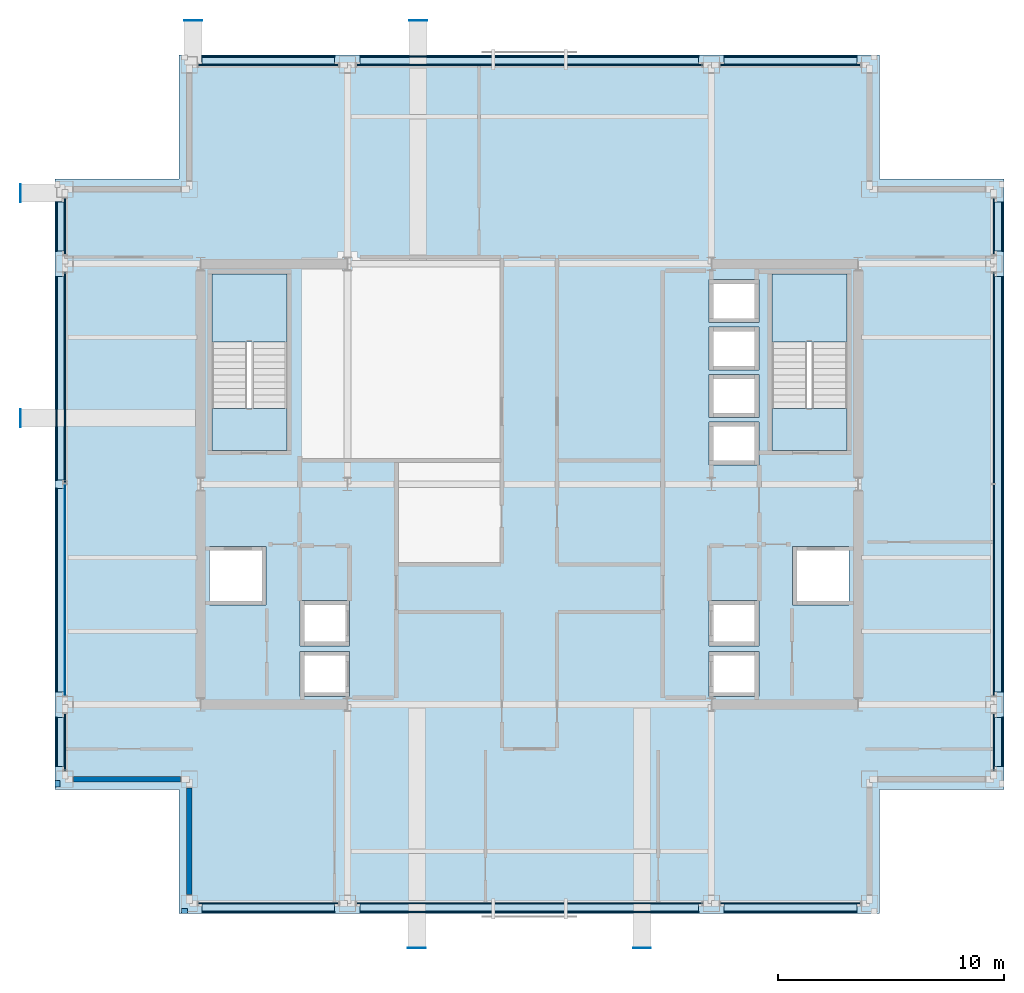
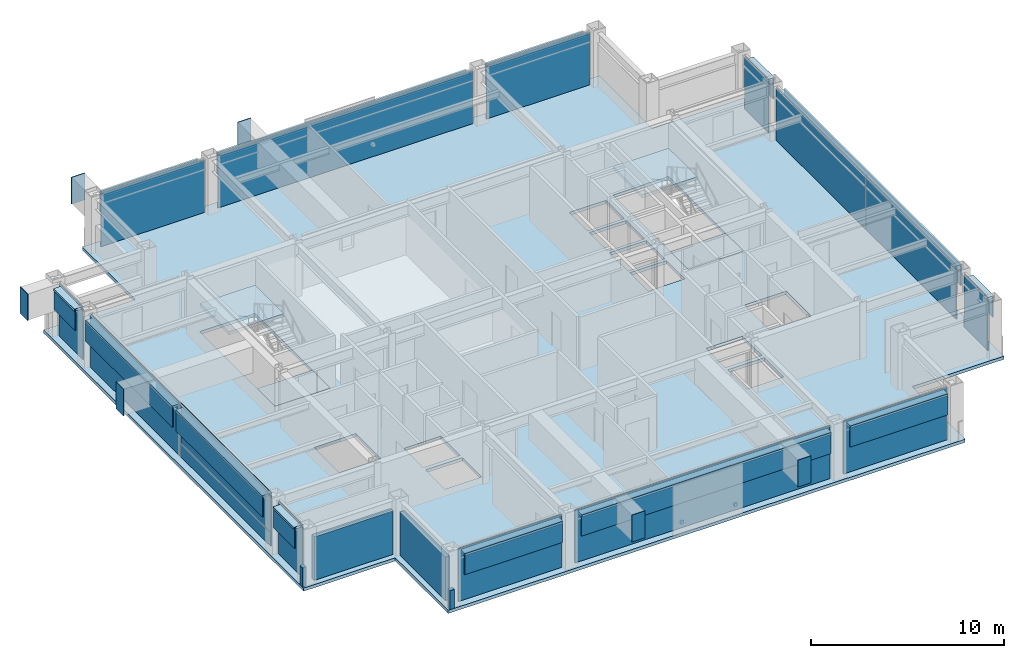
# One storey, part 23 of 28: 47 plates, 5 slabs, 4 walls, 15 elements without a shape of their own.
"""IFC4 building model written with IfcOpenShell, lengths in metres."""

from ifc_helpers import new_model, si_unit, direction, frame, frame_2d, origin, origin_2d, place, context, subcontext, project, spatial, polyline, rectangle, outline, extrude, material, layer, layer_set, type_object, element, aggregate, save


model = new_model("IFC4")

# Units and contexts
model_context = context("Model", 3, precision=1e-05, world=origin(), true_north=direction((0.0, 1.0)))
body_context = subcontext(model_context, "Body", "Model", "MODEL_VIEW")
ifc_project = project(units=[si_unit("LENGTHUNIT", "METRE"), si_unit("AREAUNIT", "SQUARE_METRE"), si_unit("VOLUMEUNIT", "CUBIC_METRE"), si_unit("PLANEANGLEUNIT", "RADIAN"), si_unit("MASSUNIT", "GRAM", prefix="KILO")], contexts=[model_context])

# Site, building, storey
site_placement = place(None, origin())
site = spatial("IfcSite", under=ifc_project, at=site_placement, CompositionType="ELEMENT")
building_placement = place(site_placement, origin())
building = spatial("IfcBuilding", under=site, at=building_placement, Name="Brelmoor Portico Tower", CompositionType="ELEMENT")
storey_placement = place(building_placement, frame((0.0, 0.0, 155.10009765625)))
storey = spatial("IfcBuildingStorey", under=building, at=storey_placement, Name="L40", CompositionType="ELEMENT", Elevation=155.10009765625)

# Plates
ifc_material_1 = material(Name="Steel Q355B", Category="steel")
ifc_layer_1 = layer(ifc_material_1, 0.044921875)
ifc_layer_set_1 = layer_set([ifc_layer_1], Name="Steel Q355B")
plate_type_1 = type_object("IfcPlateType", Name="PT-CAP-650", PredefinedType="SHEET", material=ifc_layer_set_1)
for number, where, z_axis, x_axis, name in (
    (1, (-4.97998046875, -20.52001953125, 1.7197265625), (0.0, 0.0, 1.0), (1.0, 0.0, 0.0), "L40 Picture-Frame Cantilever End Cap Plate PFB-01"),
    (2, (4.97998046875, -20.52001953125, 1.7197265625), (0.0, 0.0, 1.0), (1.0, 0.0, 0.0), "L40 Picture-Frame Cantilever End Cap Plate PFB-02"),
    (3, (-14.8798828125, 20.52001953125, 1.7197265625), (0.0, 0.0, 1.0), (1.0, 0.0, 0.0), "L40 Picture-Frame Cantilever End Cap Plate PFB-03"),
    (4, (-4.919921875, 20.52001953125, 1.7197265625), (0.0, 0.0, 1.0), (1.0, 0.0, 0.0), "L40 Picture-Frame Cantilever End Cap Plate PFB-04"),
):
    element("IfcPlate", number, at=place(storey_placement, frame(where, z_axis=z_axis, x_axis=x_axis)), inside=storey, type_object=plate_type_1, Name=name, PredefinedType="SHEET", context=body_context, shape_type="SweptSolid", body=[
        extrude(rectangle(XDim=0.7900390625, YDim=0.0400390625, at=origin_2d()), origin(), (0.0, 0.0, 1.0), 1.699951171875),
    ])
for number, where, z_axis, x_axis, name in (
    (5, (-22.52001953125, 2.919921875, 1.7197265625), (0.0, 0.0, 1.0), (1.0, 0.0, 0.0), "L40 Picture-Frame Cantilever End Cap Plate PFB-05"),
    (6, (-22.52001953125, 12.8798828125, 1.7197265625), (0.0, 0.0, 1.0), (1.0, 0.0, 0.0), "L40 Picture-Frame Cantilever End Cap Plate PFB-06"),
):
    element("IfcPlate", number, at=place(storey_placement, frame(where, z_axis=z_axis, x_axis=x_axis)), inside=storey, type_object=plate_type_1, Name=name, PredefinedType="SHEET", context=body_context, shape_type="SweptSolid", body=[
        extrude(rectangle(XDim=0.0400390625, YDim=0.7900390625, at=origin_2d()), origin(), (0.0, 0.0, 1.0), 1.699951171875),
    ])

# Curtain wall, plate
ifc_material_2 = material(Name="Anodised Aluminium Alloy 6063-T6", Category="aluminium")
ifc_layer_2 = layer(ifc_material_2, 0.179931640625)
ifc_layer_set_2 = layer_set([ifc_layer_2], Name="Anodised Aluminium Alloy 6063-T6")
curtain_wall_type_1 = type_object("IfcCurtainWallType", Name="CW-TOWER-Z3", PredefinedType="NOTDEFINED", material=ifc_layer_set_2)
curtain_wall_1_placement = place(storey_placement, origin())
curtain_wall_1 = element("IfcCurtainWall", 7, at=curtain_wall_1_placement, inside=storey, type_object=curtain_wall_type_1, Name="L40 Curtain Wall CW-L40-03-2a", PredefinedType="NOTDEFINED")
ifc_material_3 = material(Name="Double-Silver Low-E Insulated Glazing", Category="glass")
ifc_layer_3 = layer(ifc_material_3, 0.035888671875)
ifc_layer_set_3 = layer_set([ifc_layer_3], Name="Double-Silver Low-E Insulated Glazing")
plate_type_2 = type_object("IfcPlateType", Name="PT-CW-GLASS", PredefinedType="CURTAIN_PANEL", material=ifc_layer_set_3)
plate_1_placement = place(storey_placement, frame((-20.550048828125, -4.6826171875, 0.85009765625), z_axis=(0.0, 0.0, 1.0), x_axis=(0.0, 1.0, 0.0)))
plate_1 = element("IfcPlate", 8, at=plate_1_placement, type_object=plate_type_2, Name="CW-L40-03-2a Vision Glass Panel 00", PredefinedType="CURTAIN_PANEL", context=body_context, shape_type="SweptSolid", body=[
    extrude(rectangle(XDim=9.3349609375, YDim=0.035888671875, at=origin_2d()), origin(), (0.0, 0.0, 1.0), 2.550048828125),
])

ifc_layer_4 = layer(ifc_material_2, 0.179931640625)
ifc_layer_set_4 = layer_set([ifc_layer_4], Name="Anodised Aluminium Alloy 6063-T6")
curtain_wall_type_2 = type_object("IfcCurtainWallType", Name="CW-TOWER-Z3-XB", PredefinedType="NOTDEFINED", material=ifc_layer_set_4)
curtain_wall_2_placement = place(storey_placement, origin())
curtain_wall_2 = element("IfcCurtainWall", 9, at=curtain_wall_2_placement, inside=storey, type_object=curtain_wall_type_2, Name="L40 Curtain Wall CW-L40-01-1", PredefinedType="NOTDEFINED")
ifc_material_4 = material(Name="Pale Champagne Anodised Aluminium Panel", Category="aluminium")
ifc_layer_5 = layer(ifc_material_4, 0.050048828125)
ifc_layer_set_5 = layer_set([ifc_layer_5], Name="Pale Champagne Anodised Aluminium Panel")
plate_type_3 = type_object("IfcPlateType", Name="PT-CW-SPANDREL", PredefinedType="SHEET", material=ifc_layer_set_5)
plate_2_placement = place(storey_placement, frame((-11.550048828125, -18.550048828125, 0.0), z_axis=(0.0, 0.0, 1.0), x_axis=(1.0, 0.0, 0.0)))
plate_2 = element("IfcPlate", 10, at=plate_2_placement, type_object=plate_type_3, Name="CW-L40-01-1 Spandrel Panel 00", PredefinedType="SHEET", context=body_context, shape_type="SweptSolid", body=[
    extrude(rectangle(XDim=6.199951171875, YDim=0.050048828125, at=origin_2d()), origin(), (0.0, 0.0, 1.0), 3.33740234375),
])
aggregate(curtain_wall_2, [plate_2])

curtain_wall_3_placement = place(storey_placement, origin())
curtain_wall_3 = element("IfcCurtainWall", 11, at=curtain_wall_3_placement, inside=storey, type_object=curtain_wall_type_2, Name="L40 Curtain Wall CW-L40-01-2", PredefinedType="NOTDEFINED")
plate_3_placement = place(storey_placement, frame((0.0, -18.550048828125, 0.0), z_axis=(0.0, 0.0, 1.0), x_axis=(1.0, 0.0, 0.0)))
plate_3 = element("IfcPlate", 12, at=plate_3_placement, type_object=plate_type_3, Name="CW-L40-01-2 Spandrel Panel 00", PredefinedType="SHEET", context=body_context, shape_type="SweptSolid", body=[
    extrude(rectangle(XDim=15.300048828125, YDim=0.050048828125, at=origin_2d()), origin(), (0.0, 0.0, 1.0), 3.33740234375),
])
aggregate(curtain_wall_3, [plate_3])

curtain_wall_4_placement = place(storey_placement, origin())
curtain_wall_4 = element("IfcCurtainWall", 13, at=curtain_wall_4_placement, inside=storey, type_object=curtain_wall_type_2, Name="L40 Curtain Wall CW-L40-01-3", PredefinedType="NOTDEFINED")
plate_4_placement = place(storey_placement, frame((11.550048828125, -18.550048828125, 0.0), z_axis=(0.0, 0.0, 1.0), x_axis=(1.0, 0.0, 0.0)))
plate_4 = element("IfcPlate", 14, at=plate_4_placement, type_object=plate_type_3, Name="CW-L40-01-3 Spandrel Panel 00", PredefinedType="SHEET", context=body_context, shape_type="SweptSolid", body=[
    extrude(rectangle(XDim=6.199951171875, YDim=0.050048828125, at=origin_2d()), origin(), (0.0, 0.0, 1.0), 3.33740234375),
])
aggregate(curtain_wall_4, [plate_4])

curtain_wall_5_placement = place(storey_placement, origin())
curtain_wall_5 = element("IfcCurtainWall", 15, at=curtain_wall_5_placement, inside=storey, type_object=curtain_wall_type_2, Name="L40 Curtain Wall CW-L40-02-1", PredefinedType="NOTDEFINED")
plate_5_placement = place(storey_placement, frame((-11.550048828125, 18.550048828125, 0.0), z_axis=(0.0, 0.0, 1.0), x_axis=(1.0, 0.0, 0.0)))
plate_5 = element("IfcPlate", 16, at=plate_5_placement, type_object=plate_type_3, Name="CW-L40-02-1 Spandrel Panel 00", PredefinedType="SHEET", context=body_context, shape_type="SweptSolid", body=[
    extrude(rectangle(XDim=6.199951171875, YDim=0.050048828125, at=origin_2d()), origin(), (0.0, 0.0, 1.0), 3.33740234375),
])
aggregate(curtain_wall_5, [plate_5])

curtain_wall_6_placement = place(storey_placement, origin())
curtain_wall_6 = element("IfcCurtainWall", 17, at=curtain_wall_6_placement, inside=storey, type_object=curtain_wall_type_2, Name="L40 Curtain Wall CW-L40-02-2", PredefinedType="NOTDEFINED")
plate_6_placement = place(storey_placement, frame((0.0, 18.550048828125, 0.0), z_axis=(0.0, 0.0, 1.0), x_axis=(1.0, 0.0, 0.0)))
plate_6 = element("IfcPlate", 18, at=plate_6_placement, type_object=plate_type_3, Name="CW-L40-02-2 Spandrel Panel 00", PredefinedType="SHEET", context=body_context, shape_type="SweptSolid", body=[
    extrude(rectangle(XDim=15.300048828125, YDim=0.050048828125, at=origin_2d()), origin(), (0.0, 0.0, 1.0), 3.33740234375),
])
aggregate(curtain_wall_6, [plate_6])

curtain_wall_7_placement = place(storey_placement, origin())
curtain_wall_7 = element("IfcCurtainWall", 19, at=curtain_wall_7_placement, inside=storey, type_object=curtain_wall_type_2, Name="L40 Curtain Wall CW-L40-02-3", PredefinedType="NOTDEFINED")
plate_7_placement = place(storey_placement, frame((11.550048828125, 18.550048828125, 0.0), z_axis=(0.0, 0.0, 1.0), x_axis=(1.0, 0.0, 0.0)))
plate_7 = element("IfcPlate", 20, at=plate_7_placement, type_object=plate_type_3, Name="CW-L40-02-3 Spandrel Panel 00", PredefinedType="SHEET", context=body_context, shape_type="SweptSolid", body=[
    extrude(rectangle(XDim=6.199951171875, YDim=0.050048828125, at=origin_2d()), origin(), (0.0, 0.0, 1.0), 3.33740234375),
])
aggregate(curtain_wall_7, [plate_7])

curtain_wall_8_placement = place(storey_placement, origin())
curtain_wall_8 = element("IfcCurtainWall", 21, at=curtain_wall_8_placement, inside=storey, type_object=curtain_wall_type_2, Name="L40 Curtain Wall CW-L40-03-1", PredefinedType="NOTDEFINED")
plate_8_placement = place(storey_placement, frame((-20.550048828125, -11.39990234375, 0.0), z_axis=(0.0, 0.0, 1.0), x_axis=(0.0, 1.0, 0.0)))
plate_8 = element("IfcPlate", 22, at=plate_8_placement, type_object=plate_type_3, Name="CW-L40-03-1 Spandrel Panel 00", PredefinedType="SHEET", context=body_context, shape_type="SweptSolid", body=[
    extrude(rectangle(XDim=2.5, YDim=0.050048828125, at=origin_2d()), origin(), (0.0, 0.0, 1.0), 3.33740234375),
])
aggregate(curtain_wall_8, [plate_8])

# Plate
plate_9_placement = place(storey_placement, frame((-20.550048828125, -4.6826171875, -0.000244140625), z_axis=(0.0, 0.0, 1.0), x_axis=(0.0, 1.0, 0.0)))
plate_9 = element("IfcPlate", 23, at=plate_9_placement, type_object=plate_type_3, Name="CW-L40-03-2a Spandrel Panel 00", PredefinedType="SHEET", context=body_context, shape_type="SweptSolid", body=[
    extrude(rectangle(XDim=9.3349609375, YDim=0.050048828125, at=origin_2d()), origin(), (0.0, 0.0, 1.0), 0.85009765625),
])

aggregate(curtain_wall_1, [plate_9, plate_1])

# Curtain wall, plate
curtain_wall_9_placement = place(storey_placement, origin())
curtain_wall_9 = element("IfcCurtainWall", 24, at=curtain_wall_9_placement, inside=storey, type_object=curtain_wall_type_2, Name="L40 Curtain Wall CW-L40-03-2b", PredefinedType="NOTDEFINED")
plate_10_placement = place(storey_placement, frame((-20.550048828125, 4.6826171875, 0.0), z_axis=(0.0, 0.0, 1.0), x_axis=(0.0, 1.0, 0.0)))
plate_10 = element("IfcPlate", 25, at=plate_10_placement, type_object=plate_type_3, Name="CW-L40-03-2b Spandrel Panel 00", PredefinedType="SHEET", context=body_context, shape_type="SweptSolid", body=[
    extrude(rectangle(XDim=9.3349609375, YDim=0.050048828125, at=origin_2d()), origin(), (0.0, 0.0, 1.0), 3.33740234375),
])
aggregate(curtain_wall_9, [plate_10])

curtain_wall_10_placement = place(storey_placement, origin())
curtain_wall_10 = element("IfcCurtainWall", 26, at=curtain_wall_10_placement, inside=storey, type_object=curtain_wall_type_2, Name="L40 Curtain Wall CW-L40-03-3", PredefinedType="NOTDEFINED")
plate_11_placement = place(storey_placement, frame((-20.550048828125, 11.39990234375, 0.0), z_axis=(0.0, 0.0, 1.0), x_axis=(0.0, 1.0, 0.0)))
plate_11 = element("IfcPlate", 27, at=plate_11_placement, type_object=plate_type_3, Name="CW-L40-03-3 Spandrel Panel 00", PredefinedType="SHEET", context=body_context, shape_type="SweptSolid", body=[
    extrude(rectangle(XDim=2.5, YDim=0.050048828125, at=origin_2d()), origin(), (0.0, 0.0, 1.0), 3.33740234375),
])
aggregate(curtain_wall_10, [plate_11])

curtain_wall_11_placement = place(storey_placement, origin())
curtain_wall_11 = element("IfcCurtainWall", 28, at=curtain_wall_11_placement, inside=storey, type_object=curtain_wall_type_2, Name="L40 Curtain Wall CW-L40-04-1", PredefinedType="NOTDEFINED")
plate_12_placement = place(storey_placement, frame((20.550048828125, -11.39990234375, 0.0), z_axis=(0.0, 0.0, 1.0), x_axis=(0.0, 1.0, 0.0)))
plate_12 = element("IfcPlate", 29, at=plate_12_placement, type_object=plate_type_3, Name="CW-L40-04-1 Spandrel Panel 00", PredefinedType="SHEET", context=body_context, shape_type="SweptSolid", body=[
    extrude(rectangle(XDim=2.5, YDim=0.050048828125, at=origin_2d()), origin(), (0.0, 0.0, 1.0), 3.33740234375),
])
aggregate(curtain_wall_11, [plate_12])

# Curtain wall, plates
curtain_wall_12_placement = place(storey_placement, origin())
curtain_wall_12 = element("IfcCurtainWall", 30, at=curtain_wall_12_placement, inside=storey, type_object=curtain_wall_type_2, Name="L40 Curtain Wall CW-L40-04-2", PredefinedType="NOTDEFINED")
plate_13_placement = place(storey_placement, frame((20.550048828125, -4.6826171875, 0.0), z_axis=(0.0, 0.0, 1.0), x_axis=(0.0, 1.0, 0.0)))
plate_13 = element("IfcPlate", 31, at=plate_13_placement, type_object=plate_type_3, Name="CW-L40-04-2 Spandrel Panel 00", PredefinedType="SHEET", context=body_context, shape_type="SweptSolid", body=[
    extrude(rectangle(XDim=9.3349609375, YDim=0.050048828125, at=origin_2d()), origin(), (0.0, 0.0, 1.0), 3.33740234375),
])
plate_14_placement = place(storey_placement, frame((20.550048828125, 4.6826171875, 0.0), z_axis=(0.0, 0.0, 1.0), x_axis=(0.0, 1.0, 0.0)))
plate_14 = element("IfcPlate", 32, at=plate_14_placement, type_object=plate_type_3, Name="CW-L40-04-2 Spandrel Panel 01", PredefinedType="SHEET", context=body_context, shape_type="SweptSolid", body=[
    extrude(rectangle(XDim=9.3349609375, YDim=0.050048828125, at=origin_2d()), origin(), (0.0, 0.0, 1.0), 3.33740234375),
])
aggregate(curtain_wall_12, [plate_13, plate_14])

# Curtain wall, plate
curtain_wall_13_placement = place(storey_placement, origin())
curtain_wall_13 = element("IfcCurtainWall", 33, at=curtain_wall_13_placement, inside=storey, type_object=curtain_wall_type_2, Name="L40 Curtain Wall CW-L40-04-3", PredefinedType="NOTDEFINED")
plate_15_placement = place(storey_placement, frame((20.550048828125, 11.39990234375, 0.0), z_axis=(0.0, 0.0, 1.0), x_axis=(0.0, 1.0, 0.0)))
plate_15 = element("IfcPlate", 34, at=plate_15_placement, type_object=plate_type_3, Name="CW-L40-04-3 Spandrel Panel 00", PredefinedType="SHEET", context=body_context, shape_type="SweptSolid", body=[
    extrude(rectangle(XDim=2.5, YDim=0.050048828125, at=origin_2d()), origin(), (0.0, 0.0, 1.0), 3.33740234375),
])
aggregate(curtain_wall_13, [plate_15])

# Plates
ifc_material_5 = material(Name="Powder-Coated Aluminium Shuttered Jalousie Louvre", Category="aluminium")
ifc_layer_6 = layer(ifc_material_5, 0.06005859375)
ifc_layer_set_6 = layer_set([ifc_layer_6], Name="Powder-Coated Aluminium Shuttered Jalousie Louvre")
plate_type_4 = type_object("IfcPlateType", Name="PT-JALOUSIE-SHUTTER", PredefinedType="SHEET", material=ifc_layer_set_6)
plate_16_placement = place(storey_placement, frame((-11.550048828125, -18.929931640625, 1.8740234375), z_axis=(0.0, 0.0, 1.0), x_axis=(1.0, 0.0, 0.0)))
element("IfcPlate", 35, at=plate_16_placement, inside=storey, type_object=plate_type_4, Name="CW-L40-01-1 Perforated Jalousie Solar Screen", PredefinedType="SHEET", context=body_context, shape_type="SweptSolid", body=[
    extrude(rectangle(XDim=5.8701171875, YDim=0.06494140625, at=origin_2d()), origin(), (0.0, 0.0, 1.0), 1.325927734375),
])
plate_17_placement = place(storey_placement, frame((0.0, -18.929931640625, 1.8740234375), z_axis=(0.0, 0.0, 1.0), x_axis=(1.0, 0.0, 0.0)))
element("IfcPlate", 36, at=plate_17_placement, inside=storey, type_object=plate_type_4, Name="CW-L40-01-2 Perforated Jalousie Solar Screen", PredefinedType="SHEET", context=body_context, shape_type="SweptSolid", body=[
    extrude(rectangle(XDim=14.969970703125, YDim=0.06494140625, at=origin_2d()), origin(), (0.0, 0.0, 1.0), 1.325927734375),
])
for number, where, z_axis, x_axis, name in (
    (37, (11.550048828125, -18.929931640625, 1.8740234375), (0.0, 0.0, 1.0), (1.0, 0.0, 0.0), "CW-L40-01-3 Perforated Jalousie Solar Screen"),
    (38, (-11.550048828125, 18.929931640625, 1.8740234375), (0.0, 0.0, 1.0), (1.0, 0.0, 0.0), "CW-L40-02-1 Perforated Jalousie Solar Screen"),
):
    element("IfcPlate", number, at=place(storey_placement, frame(where, z_axis=z_axis, x_axis=x_axis)), inside=storey, type_object=plate_type_4, Name=name, PredefinedType="SHEET", context=body_context, shape_type="SweptSolid", body=[
        extrude(rectangle(XDim=5.8701171875, YDim=0.06494140625, at=origin_2d()), origin(), (0.0, 0.0, 1.0), 1.325927734375),
    ])
plate_18_placement = place(storey_placement, frame((0.0, 18.929931640625, 1.8740234375), z_axis=(0.0, 0.0, 1.0), x_axis=(1.0, 0.0, 0.0)))
element("IfcPlate", 39, at=plate_18_placement, inside=storey, type_object=plate_type_4, Name="CW-L40-02-2 Perforated Jalousie Solar Screen", PredefinedType="SHEET", context=body_context, shape_type="SweptSolid", body=[
    extrude(rectangle(XDim=14.969970703125, YDim=0.06494140625, at=origin_2d()), origin(), (0.0, 0.0, 1.0), 1.325927734375),
])
plate_19_placement = place(storey_placement, frame((11.550048828125, 18.929931640625, 1.8740234375), z_axis=(0.0, 0.0, 1.0), x_axis=(1.0, 0.0, 0.0)))
element("IfcPlate", 40, at=plate_19_placement, inside=storey, type_object=plate_type_4, Name="CW-L40-02-3 Perforated Jalousie Solar Screen", PredefinedType="SHEET", context=body_context, shape_type="SweptSolid", body=[
    extrude(rectangle(XDim=5.8701171875, YDim=0.06494140625, at=origin_2d()), origin(), (0.0, 0.0, 1.0), 1.325927734375),
])
plate_20_placement = place(storey_placement, frame((-20.929931640625, -11.39990234375, 1.8740234375), z_axis=(0.0, 0.0, 1.0), x_axis=(0.0, 1.0, 0.0)))
element("IfcPlate", 41, at=plate_20_placement, inside=storey, type_object=plate_type_4, Name="CW-L40-03-1 Perforated Jalousie Solar Screen", PredefinedType="SHEET", context=body_context, shape_type="SweptSolid", body=[
    extrude(rectangle(XDim=2.169921875, YDim=0.06494140625, at=origin_2d()), origin(), (0.0, 0.0, 1.0), 1.325927734375),
])
for number, where, z_axis, x_axis, name in (
    (42, (-20.929931640625, -4.6826171875, 1.8740234375), (0.0, 0.0, 1.0), (0.0, 1.0, 0.0), "CW-L40-03-2a Perforated Jalousie Solar Screen"),
    (43, (-20.929931640625, 4.6826171875, 1.8740234375), (0.0, 0.0, 1.0), (0.0, 1.0, 0.0), "CW-L40-03-2b Perforated Jalousie Solar Screen"),
):
    element("IfcPlate", number, at=place(storey_placement, frame(where, z_axis=z_axis, x_axis=x_axis)), inside=storey, type_object=plate_type_4, Name=name, PredefinedType="SHEET", context=body_context, shape_type="SweptSolid", body=[
        extrude(rectangle(XDim=9.0048828125, YDim=0.06494140625, at=origin_2d()), origin(), (0.0, 0.0, 1.0), 1.325927734375),
    ])
for number, where, z_axis, x_axis, name in (
    (44, (-20.929931640625, 11.39990234375, 1.8740234375), (0.0, 0.0, 1.0), (0.0, 1.0, 0.0), "CW-L40-03-3 Perforated Jalousie Solar Screen"),
    (45, (20.929931640625, -11.39990234375, 1.8740234375), (0.0, 0.0, 1.0), (0.0, 1.0, 0.0), "CW-L40-04-1 Perforated Jalousie Solar Screen"),
):
    element("IfcPlate", number, at=place(storey_placement, frame(where, z_axis=z_axis, x_axis=x_axis)), inside=storey, type_object=plate_type_4, Name=name, PredefinedType="SHEET", context=body_context, shape_type="SweptSolid", body=[
        extrude(rectangle(XDim=2.169921875, YDim=0.06494140625, at=origin_2d()), origin(), (0.0, 0.0, 1.0), 1.325927734375),
    ])
plate_21_placement = place(storey_placement, frame((20.929931640625, 0.0, 1.8740234375), z_axis=(0.0, 0.0, 1.0), x_axis=(0.0, 1.0, 0.0)))
element("IfcPlate", 46, at=plate_21_placement, inside=storey, type_object=plate_type_4, Name="CW-L40-04-2 Perforated Jalousie Solar Screen", PredefinedType="SHEET", context=body_context, shape_type="SweptSolid", body=[
    extrude(rectangle(XDim=18.3701171875, YDim=0.06494140625, at=origin_2d()), origin(), (0.0, 0.0, 1.0), 1.325927734375),
])
plate_22_placement = place(storey_placement, frame((20.929931640625, 11.39990234375, 1.8740234375), z_axis=(0.0, 0.0, 1.0), x_axis=(0.0, 1.0, 0.0)))
element("IfcPlate", 47, at=plate_22_placement, inside=storey, type_object=plate_type_4, Name="CW-L40-04-3 Perforated Jalousie Solar Screen", PredefinedType="SHEET", context=body_context, shape_type="SweptSolid", body=[
    extrude(rectangle(XDim=2.169921875, YDim=0.06494140625, at=origin_2d()), origin(), (0.0, 0.0, 1.0), 1.325927734375),
])
ifc_material_6 = material(Name="Pale Champagne Perforated Aluminium Solar Screen", Category="aluminium")
ifc_layer_7 = layer(ifc_material_6, 0.054931640625)
ifc_layer_set_7 = layer_set([ifc_layer_7], Name="Pale Champagne Perforated Aluminium Solar Screen")
plate_type_5 = type_object("IfcPlateType", Name="PT-SOLAR-LOUVRE", PredefinedType="SHEET", material=ifc_layer_set_7)
plate_23_placement = place(storey_placement, frame((-11.550048828125, -18.760009765625, 3.08984375), z_axis=(0.0, 0.0, 1.0), x_axis=(1.0, 0.0, 0.0)))
element("IfcPlate", 48, at=plate_23_placement, inside=storey, type_object=plate_type_5, Name="CW-L40-01-1 Caribbean Brise-Soleil Solar Screen", PredefinedType="SHEET", context=body_context, shape_type="SweptSolid", body=[
    extrude(rectangle(XDim=5.8701171875, YDim=0.4599609375, at=origin_2d()), origin(), (0.0, 0.0, 1.0), 0.139892578125),
])
plate_24_placement = place(storey_placement, frame((0.0, -18.760009765625, 3.08984375), z_axis=(0.0, 0.0, 1.0), x_axis=(1.0, 0.0, 0.0)))
element("IfcPlate", 49, at=plate_24_placement, inside=storey, type_object=plate_type_5, Name="CW-L40-01-2 Caribbean Brise-Soleil Solar Screen", PredefinedType="SHEET", context=body_context, shape_type="SweptSolid", body=[
    extrude(rectangle(XDim=14.969970703125, YDim=0.4599609375, at=origin_2d()), origin(), (0.0, 0.0, 1.0), 0.139892578125),
])
for number, where, z_axis, x_axis, name in (
    (50, (11.550048828125, -18.760009765625, 3.08984375), (0.0, 0.0, 1.0), (1.0, 0.0, 0.0), "CW-L40-01-3 Caribbean Brise-Soleil Solar Screen"),
    (51, (-11.550048828125, 18.760009765625, 3.08984375), (0.0, 0.0, 1.0), (1.0, 0.0, 0.0), "CW-L40-02-1 Caribbean Brise-Soleil Solar Screen"),
):
    element("IfcPlate", number, at=place(storey_placement, frame(where, z_axis=z_axis, x_axis=x_axis)), inside=storey, type_object=plate_type_5, Name=name, PredefinedType="SHEET", context=body_context, shape_type="SweptSolid", body=[
        extrude(rectangle(XDim=5.8701171875, YDim=0.4599609375, at=origin_2d()), origin(), (0.0, 0.0, 1.0), 0.139892578125),
    ])
plate_25_placement = place(storey_placement, frame((0.0, 18.760009765625, 3.08984375), z_axis=(0.0, 0.0, 1.0), x_axis=(1.0, 0.0, 0.0)))
element("IfcPlate", 52, at=plate_25_placement, inside=storey, type_object=plate_type_5, Name="CW-L40-02-2 Caribbean Brise-Soleil Solar Screen", PredefinedType="SHEET", context=body_context, shape_type="SweptSolid", body=[
    extrude(rectangle(XDim=14.969970703125, YDim=0.4599609375, at=origin_2d()), origin(), (0.0, 0.0, 1.0), 0.139892578125),
])
plate_26_placement = place(storey_placement, frame((11.550048828125, 18.760009765625, 3.08984375), z_axis=(0.0, 0.0, 1.0), x_axis=(1.0, 0.0, 0.0)))
element("IfcPlate", 53, at=plate_26_placement, inside=storey, type_object=plate_type_5, Name="CW-L40-02-3 Caribbean Brise-Soleil Solar Screen", PredefinedType="SHEET", context=body_context, shape_type="SweptSolid", body=[
    extrude(rectangle(XDim=5.8701171875, YDim=0.4599609375, at=origin_2d()), origin(), (0.0, 0.0, 1.0), 0.139892578125),
])
plate_27_placement = place(storey_placement, frame((-20.760009765625, -11.39990234375, 3.08984375), z_axis=(0.0, 0.0, 1.0), x_axis=(0.0, 1.0, 0.0)))
element("IfcPlate", 54, at=plate_27_placement, inside=storey, type_object=plate_type_5, Name="CW-L40-03-1 Caribbean Brise-Soleil Solar Screen", PredefinedType="SHEET", context=body_context, shape_type="SweptSolid", body=[
    extrude(rectangle(XDim=2.169921875, YDim=0.4599609375, at=origin_2d()), origin(), (0.0, 0.0, 1.0), 0.139892578125),
])
for number, where, z_axis, x_axis, name in (
    (55, (-20.760009765625, -4.6826171875, 3.08984375), (0.0, 0.0, 1.0), (0.0, 1.0, 0.0), "CW-L40-03-2a Caribbean Brise-Soleil Solar Screen"),
    (56, (-20.760009765625, 4.6826171875, 3.08984375), (0.0, 0.0, 1.0), (0.0, 1.0, 0.0), "CW-L40-03-2b Caribbean Brise-Soleil Solar Screen"),
):
    element("IfcPlate", number, at=place(storey_placement, frame(where, z_axis=z_axis, x_axis=x_axis)), inside=storey, type_object=plate_type_5, Name=name, PredefinedType="SHEET", context=body_context, shape_type="SweptSolid", body=[
        extrude(rectangle(XDim=9.0048828125, YDim=0.4599609375, at=origin_2d()), origin(), (0.0, 0.0, 1.0), 0.139892578125),
    ])
for number, where, z_axis, x_axis, name in (
    (57, (-20.760009765625, 11.39990234375, 3.08984375), (0.0, 0.0, 1.0), (0.0, 1.0, 0.0), "CW-L40-03-3 Caribbean Brise-Soleil Solar Screen"),
    (58, (20.760009765625, -11.39990234375, 3.08984375), (0.0, 0.0, 1.0), (0.0, 1.0, 0.0), "CW-L40-04-1 Caribbean Brise-Soleil Solar Screen"),
):
    element("IfcPlate", number, at=place(storey_placement, frame(where, z_axis=z_axis, x_axis=x_axis)), inside=storey, type_object=plate_type_5, Name=name, PredefinedType="SHEET", context=body_context, shape_type="SweptSolid", body=[
        extrude(rectangle(XDim=2.169921875, YDim=0.4599609375, at=origin_2d()), origin(), (0.0, 0.0, 1.0), 0.139892578125),
    ])
plate_28_placement = place(storey_placement, frame((20.760009765625, 0.0, 3.08984375), z_axis=(0.0, 0.0, 1.0), x_axis=(0.0, 1.0, 0.0)))
element("IfcPlate", 59, at=plate_28_placement, inside=storey, type_object=plate_type_5, Name="CW-L40-04-2 Caribbean Brise-Soleil Solar Screen", PredefinedType="SHEET", context=body_context, shape_type="SweptSolid", body=[
    extrude(rectangle(XDim=18.3701171875, YDim=0.4599609375, at=origin_2d()), origin(), (0.0, 0.0, 1.0), 0.139892578125),
])
plate_29_placement = place(storey_placement, frame((20.760009765625, 11.39990234375, 3.08984375), z_axis=(0.0, 0.0, 1.0), x_axis=(0.0, 1.0, 0.0)))
element("IfcPlate", 60, at=plate_29_placement, inside=storey, type_object=plate_type_5, Name="CW-L40-04-3 Caribbean Brise-Soleil Solar Screen", PredefinedType="SHEET", context=body_context, shape_type="SweptSolid", body=[
    extrude(rectangle(XDim=2.169921875, YDim=0.4599609375, at=origin_2d()), origin(), (0.0, 0.0, 1.0), 0.139892578125),
])

# Slab
ifc_material_7 = material(Name="Concrete C40", Category="concrete")
ifc_layer_8 = layer(ifc_material_7, 0.199951171875)
ifc_layer_set_8 = layer_set([ifc_layer_8], Name="Concrete C40")
slab_type_1 = type_object("IfcSlabType", Name="SL-FLOOR-200", PredefinedType="FLOOR", material=ifc_layer_set_8)
slab_1_placement = place(storey_placement, frame((0.0, 0.0, -0.2001953125)))
element("IfcSlab", 61, at=slab_1_placement, inside=storey, type_object=slab_type_1, Name="L40 Main Structural Floor Slab", PredefinedType="FLOOR", context=body_context, shape_type="SweptSolid", body=[
    extrude(outline(polyline([(-15.5, -19.0), (15.5, -19.0), (15.5, -13.5), (21.0, -13.5), (21.0, 13.5), (15.5, 13.5), (15.5, 19.0), (-15.5, 19.0), (-15.5, 13.5), (-21.0, 13.5), (-21.0, -13.5), (-15.5, -13.5), (-15.5, -19.0)]), holes=[polyline([(-10.72998046875, 1.5), (-10.72998046875, 9.300048828125), (-14.050048828125, 9.300048828125), (-14.050048828125, 1.5), (-10.72998046875, 1.5)]), polyline([(14.050048828125, 1.5), (14.050048828125, 9.300048828125), (10.72998046875, 9.300048828125), (10.72998046875, 1.5), (14.050048828125, 1.5)]), polyline([(7.949951171875, 0.85009765625), (10.14990234375, 0.85009765625), (10.14990234375, 2.75), (7.949951171875, 2.75), (7.949951171875, 0.85009765625)]), polyline([(7.949951171875, 2.949951171875), (10.14990234375, 2.949951171875), (10.14990234375, 4.85009765625), (7.949951171875, 4.85009765625), (7.949951171875, 2.949951171875)]), polyline([(7.949951171875, 5.050048828125), (10.14990234375, 5.050048828125), (10.14990234375, 6.949951171875), (7.949951171875, 6.949951171875), (7.949951171875, 5.050048828125)]), polyline([(7.949951171875, 7.14990234375), (10.14990234375, 7.14990234375), (10.14990234375, 9.050048828125), (7.949951171875, 9.050048828125), (7.949951171875, 7.14990234375)]), polyline([(-10.14990234375, -9.39990234375), (-7.949951171875, -9.39990234375), (-7.949951171875, -7.39990234375), (-10.14990234375, -7.39990234375), (-10.14990234375, -9.39990234375)]), polyline([(-10.14990234375, -7.14990234375), (-7.949951171875, -7.14990234375), (-7.949951171875, -5.14990234375), (-10.14990234375, -5.14990234375), (-10.14990234375, -7.14990234375)]), polyline([(7.949951171875, -9.39990234375), (10.14990234375, -9.39990234375), (10.14990234375, -7.39990234375), (7.949951171875, -7.39990234375), (7.949951171875, -9.39990234375)]), polyline([(7.949951171875, -7.14990234375), (10.14990234375, -7.14990234375), (10.14990234375, -5.14990234375), (7.949951171875, -5.14990234375), (7.949951171875, -7.14990234375)]), polyline([(-14.14990234375, -5.35009765625), (-11.64990234375, -5.35009765625), (-11.64990234375, -2.75), (-14.14990234375, -2.75), (-14.14990234375, -5.35009765625)]), polyline([(11.64990234375, -5.35009765625), (14.14990234375, -5.35009765625), (14.14990234375, -2.75), (11.64990234375, -2.75), (11.64990234375, -5.35009765625)])]), origin(), (0.0, 0.0, 1.0), 0.2001953125),
])

# Stair, slab
stair_type_1 = type_object("IfcStairType", Name="ST-CORE-W", PredefinedType="HALF_TURN_STAIR", material=ifc_material_7)
stair_1_placement = place(storey_placement, origin())
stair_1 = element("IfcStair", 62, at=stair_1_placement, inside=storey, type_object=stair_type_1, Name="L40 Protected Core Exit Stair ST-W", PredefinedType="HALF_TURN_STAIR")
ifc_layer_9 = layer(ifc_material_7, 0.179931640625)
ifc_layer_set_9 = layer_set([ifc_layer_9], Name="Concrete C40")
slab_type_2 = type_object("IfcSlabType", Name="SL-LANDING-180", PredefinedType="LANDING", material=ifc_layer_set_9)
slab_2_placement = place(storey_placement, frame((0.0, 0.0, 1.599853515625)))
slab_2 = element("IfcSlab", 63, at=slab_2_placement, type_object=slab_type_2, Name="ST-W landing 1", PredefinedType="LANDING", context=body_context, shape_type="SweptSolid", body=[
    extrude(outline(polyline([(-10.72998046875, 6.300048828125), (-10.72998046875, 9.300048828125), (-14.050048828125, 9.300048828125), (-14.050048828125, 6.300048828125), (-10.72998046875, 6.300048828125)])), origin(), (0.0, 0.0, 1.0), 0.199951171875),
])
aggregate(stair_1, [slab_2])

stair_type_2 = type_object("IfcStairType", Name="ST-CORE-E", PredefinedType="HALF_TURN_STAIR", material=ifc_material_7)
stair_2_placement = place(storey_placement, origin())
stair_2 = element("IfcStair", 64, at=stair_2_placement, inside=storey, type_object=stair_type_2, Name="L40 Protected Core Exit Stair ST-E", PredefinedType="HALF_TURN_STAIR")
slab_3_placement = place(storey_placement, frame((0.0, 0.0, 1.599853515625)))
slab_3 = element("IfcSlab", 65, at=slab_3_placement, type_object=slab_type_2, Name="ST-E landing 1", PredefinedType="LANDING", context=body_context, shape_type="SweptSolid", body=[
    extrude(outline(polyline([(14.050048828125, 6.300048828125), (14.050048828125, 9.300048828125), (10.72998046875, 9.300048828125), (10.72998046875, 6.300048828125), (14.050048828125, 6.300048828125)])), origin(), (0.0, 0.0, 1.0), 0.199951171875),
])
aggregate(stair_2, [slab_3])

# Slabs
ifc_layer_10 = layer(ifc_material_7, 0.199951171875)
ifc_layer_set_10 = layer_set([ifc_layer_10], Name="Concrete C40")
slab_type_3 = type_object("IfcSlabType", Name="SL-STAIR-FL200", PredefinedType="LANDING", material=ifc_layer_set_10)
slab_4_placement = place(storey_placement, frame((0.0, 0.0, -0.2001953125)))
element("IfcSlab", 66, at=slab_4_placement, inside=storey, type_object=slab_type_3, Name="L40 ST-W Structural Floor Landing Slab", PredefinedType="LANDING", context=body_context, shape_type="SweptSolid", body=[
    extrude(outline(polyline([(-10.72998046875, 1.5), (-10.72998046875, 3.35009765625), (-14.050048828125, 3.35009765625), (-14.050048828125, 1.5), (-10.72998046875, 1.5)])), origin(), (0.0, 0.0, 1.0), 0.2001953125),
])
slab_5_placement = place(storey_placement, frame((0.0, 0.0, -0.2001953125)))
element("IfcSlab", 67, at=slab_5_placement, inside=storey, type_object=slab_type_3, Name="L40 ST-E Structural Floor Landing Slab", PredefinedType="LANDING", context=body_context, shape_type="SweptSolid", body=[
    extrude(outline(polyline([(14.050048828125, 1.5), (14.050048828125, 3.35009765625), (10.72998046875, 3.35009765625), (10.72998046875, 1.5), (14.050048828125, 1.5)])), origin(), (0.0, 0.0, 1.0), 0.2001953125),
])

# Walls
ifc_material_8 = material(Name="Precast Concrete C40 Insulated Facade Wall", Category="concrete")
ifc_layer_11 = layer(ifc_material_8, 0.25)
ifc_layer_set_11 = layer_set([ifc_layer_11], Name="Precast Concrete C40 Insulated Facade Wall")
wall_type_1 = type_object("IfcWallType", Name="WL-EXT-250", PredefinedType="STANDARD", material=ifc_layer_set_11)
for number, where, z_axis, x_axis, name in (
    (68, (-20.1650390625, -13.050048828125, 0.0), (0.0, 0.0, 1.0), (1.0, 0.0, 0.0), "L40 Corner Notch Facade Wall NSWH1"),
    (69, (-15.050048828125, -18.1650390625, 0.0), (0.0, 0.0, 1.0), (0.0, 1.0, 0.0), "L40 Corner Notch Facade Wall NSWV1"),
):
    element("IfcWall", number, at=place(storey_placement, frame(where, z_axis=z_axis, x_axis=x_axis)), inside=storey, type_object=wall_type_1, Name=name, PredefinedType="STANDARD", context=body_context, shape_type="SweptSolid", body=[
        extrude(rectangle(XDim=4.72998046875, YDim=0.25, at=frame_2d((2.364990234375, 0.0))), origin(), (0.0, 0.0, 1.0), 2.75),
    ])
ifc_material_9 = material(Name="Concrete C40 Parapet Upstand", Category="concrete")
ifc_layer_12 = layer(ifc_material_9, 0.219970703125)
ifc_layer_set_12 = layer_set([ifc_layer_12], Name="Concrete C40 Parapet Upstand")
wall_type_2 = type_object("IfcWallType", Name="WL-PARAPET-220", PredefinedType="PARAPET", material=ifc_layer_set_12)
for number, where, z_axis, x_axis, name in (
    (70, (-15.389892578125, -18.889892578125, 0.0), (0.0, 0.0, 1.0), (1.0, 0.0, 0.0), "L40 Chamfer Vertex Parapet Pier SW1"),
    (71, (-20.889892578125, -13.389892578125, 0.0), (0.0, 0.0, 1.0), (0.0, 1.0, 0.0), "L40 Chamfer Vertex Parapet Pier SW2"),
):
    element("IfcWall", number, at=place(storey_placement, frame(where, z_axis=z_axis, x_axis=x_axis)), inside=storey, type_object=wall_type_2, Name=name, PredefinedType="PARAPET", context=body_context, shape_type="SweptSolid", body=[
        extrude(rectangle(XDim=0.269775390625, YDim=0.219970703125, at=frame_2d((0.134765625, 0.0))), origin(), (0.0, 0.0, 1.0), 1.199951171875),
    ])

save(model, "model.ifc")
